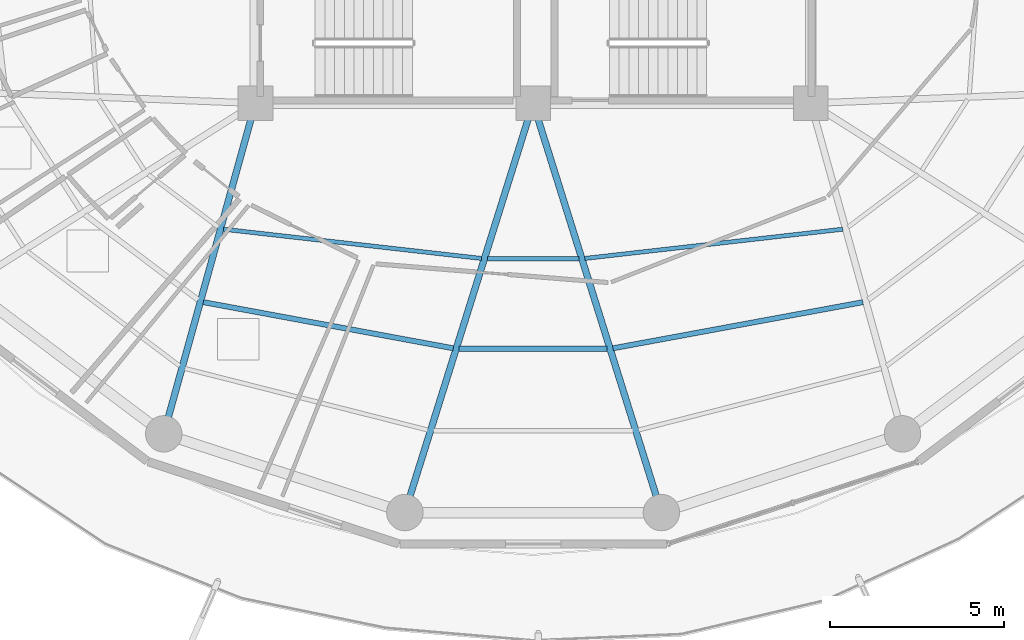
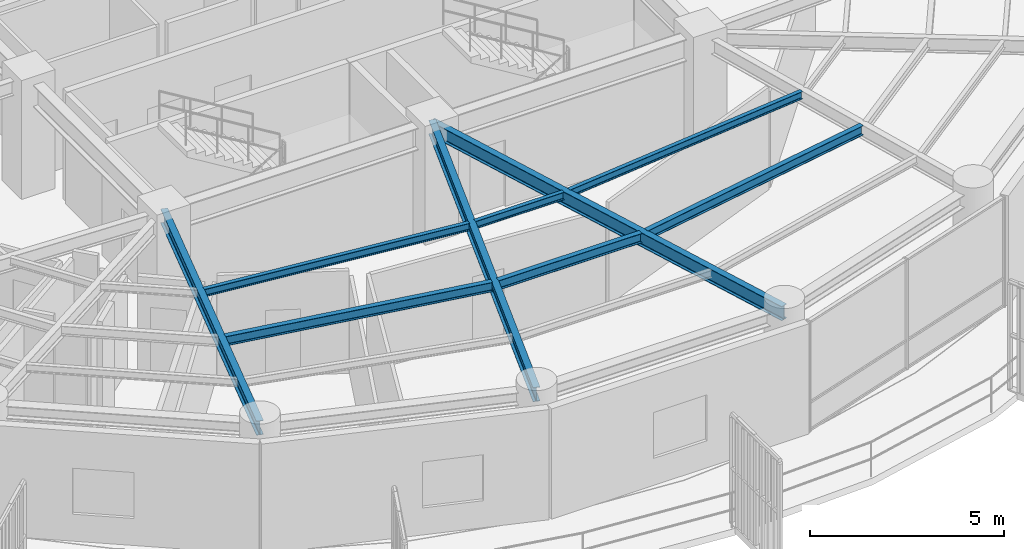
# One storey, part 5 of 31: 9 beams.
"""IFC4 building model written with IfcOpenShell, lengths in metres."""

from ifc_helpers import new_model, si_unit, direction, frame, origin, origin_2d, place, context, subcontext, project, spatial, i_section, extrude, material, material_profile, profile_set, type_object, element, save


model = new_model("IFC4")

# Units and contexts
model_context = context("Model", 3, precision=1e-05, world=origin(), true_north=direction((0.0, 1.0)))
body_context = subcontext(model_context, "Body", "Model", "MODEL_VIEW")
ifc_project = project(units=[si_unit("LENGTHUNIT", "METRE"), si_unit("AREAUNIT", "SQUARE_METRE"), si_unit("VOLUMEUNIT", "CUBIC_METRE"), si_unit("PLANEANGLEUNIT", "RADIAN"), si_unit("MASSUNIT", "GRAM", prefix="KILO")], contexts=[model_context])

# Site, building, storey
site_placement = place(None, origin())
site = spatial("IfcSite", under=ifc_project, at=site_placement, CompositionType="ELEMENT")
building_placement = place(site_placement, origin())
building = spatial("IfcBuilding", under=site, at=building_placement, Name="Kelanora Arch Commons", CompositionType="ELEMENT")
storey_placement = place(building_placement, frame((0.0, 0.0, 230.699951171875)))
storey = spatial("IfcBuildingStorey", under=building, at=storey_placement, Name="L59", CompositionType="ELEMENT", Elevation=230.699951171875)

# Beams
ifc_material = material(Name="Steel S355", Category="steel")
ifc_material_profile_1 = material_profile(ifc_material, i_section(OverallWidth=0.14990234375, OverallDepth=0.300048828125, WebThickness=0.007080078125, FlangeThickness=0.0107421875, FilletRadius=0.014892578125, at=origin_2d()), Name="IPE300")
ifc_profile_set_1 = profile_set([ifc_material_profile_1], Name="Steel S355")
beam_type_1 = type_object("IfcBeamType", Name="BM-JST-01", PredefinedType="JOIST", material=ifc_profile_set_1)
beam_1_placement = place(storey_placement, frame((64.49951171875, 45.270263671875, 3.340087890625), z_axis=(0.983389964671, -0.181505309519, 0.0), x_axis=(0.181505309519, 0.983389964671, 0.0)))
element("IfcBeam", 1, at=beam_1_placement, inside=storey, type_object=beam_type_1, Name="Secondary Chord Joist BJB-24 L59", PredefinedType="JOIST", context=body_context, shape_type="SweptSolid", body=[
    extrude(i_section(OverallWidth=0.14990234375, OverallDepth=0.300048828125, WebThickness=0.007080078125, FlangeThickness=0.0107421875, FilletRadius=0.014892578125, at=origin_2d()), origin(), (0.0, 0.0, 1.0), 7.3212890625),
])
beam_2_placement = place(storey_placement, frame((71.867919921875, 43.92578125, 3.340087890625), z_axis=(1.0, 0.0, 0.0), x_axis=(0.0, 1.0, 0.0)))
element("IfcBeam", 2, at=beam_2_placement, inside=storey, type_object=beam_type_1, Name="Secondary Chord Joist BJB-26 L59", PredefinedType="JOIST", context=body_context, shape_type="SweptSolid", body=[
    extrude(i_section(OverallWidth=0.14990234375, OverallDepth=0.300048828125, WebThickness=0.007080078125, FlangeThickness=0.0107421875, FilletRadius=0.014892578125, at=origin_2d()), origin(), (0.0, 0.0, 1.0), 4.26416015625),
])
beam_3_placement = place(storey_placement, frame((76.30078125, 43.94140625, 3.340087890625), z_axis=(0.983389964671, 0.181505309519, 0.0), x_axis=(-0.181505309519, 0.983389964671, 0.0)))
element("IfcBeam", 3, at=beam_3_placement, inside=storey, type_object=beam_type_1, Name="Secondary Chord Joist BJB-28 L59", PredefinedType="JOIST", context=body_context, shape_type="SweptSolid", body=[
    extrude(i_section(OverallWidth=0.14990234375, OverallDepth=0.300048828125, WebThickness=0.007080078125, FlangeThickness=0.0107421875, FilletRadius=0.014892578125, at=origin_2d()), origin(), (0.0, 0.0, 1.0), 7.3212890625),
])
ifc_material_profile_2 = material_profile(ifc_material, i_section(OverallWidth=0.1201171875, OverallDepth=0.239990234375, WebThickness=0.006103515625, FlangeThickness=0.009765625, FilletRadius=0.014892578125, at=origin_2d()), Name="IPE240")
ifc_profile_set_2 = profile_set([ifc_material_profile_2], Name="Steel S355")
beam_type_2 = type_object("IfcBeamType", Name="BM-JST-02", PredefinedType="JOIST", material=ifc_profile_set_2)
beam_4_placement = place(storey_placement, frame((65.081298828125, 47.371337890625, 3.3701171875), z_axis=(0.993639672263, -0.11260640171, 0.0), x_axis=(0.11260640171, 0.993639672263, 0.0)))
element("IfcBeam", 4, at=beam_4_placement, inside=storey, type_object=beam_type_2, Name="Secondary Chord Joist BJA-24 L59", PredefinedType="JOIST", context=body_context, shape_type="SweptSolid", body=[
    extrude(i_section(OverallWidth=0.1201171875, OverallDepth=0.239990234375, WebThickness=0.006103515625, FlangeThickness=0.009765625, FilletRadius=0.014892578125, at=origin_2d()), origin(), (0.0, 0.0, 1.0), 7.477783203125),
])
beam_5_placement = place(storey_placement, frame((72.680908203125, 46.519775390625, 3.3701171875), z_axis=(1.0, 0.0, 0.0), x_axis=(0.0, 1.0, 0.0)))
element("IfcBeam", 5, at=beam_5_placement, inside=storey, type_object=beam_type_2, Name="Secondary Chord Joist BJA-26 L59", PredefinedType="JOIST", context=body_context, shape_type="SweptSolid", body=[
    extrude(i_section(OverallWidth=0.1201171875, OverallDepth=0.239990234375, WebThickness=0.006103515625, FlangeThickness=0.009765625, FilletRadius=0.014892578125, at=origin_2d()), origin(), (0.0, 0.0, 1.0), 2.63818359375),
])
beam_6_placement = place(storey_placement, frame((75.488525390625, 46.529296875, 3.3701171875), z_axis=(0.993639672263, 0.11260640171, 0.0), x_axis=(-0.11260640171, 0.993639672263, 0.0)))
element("IfcBeam", 6, at=beam_6_placement, inside=storey, type_object=beam_type_2, Name="Secondary Chord Joist BJA-28 L59", PredefinedType="JOIST", context=body_context, shape_type="SweptSolid", body=[
    extrude(i_section(OverallWidth=0.1201171875, OverallDepth=0.239990234375, WebThickness=0.006103515625, FlangeThickness=0.009765625, FilletRadius=0.014892578125, at=origin_2d()), origin(), (0.0, 0.0, 1.0), 7.477783203125),
])
ifc_material_profile_3 = material_profile(ifc_material, i_section(OverallWidth=0.18994140625, OverallDepth=0.449951171875, WebThickness=0.009521484375, FlangeThickness=0.0146484375, FilletRadius=0.02099609375, at=origin_2d()), Name="IPE450")
ifc_profile_set_3 = profile_set([ifc_material_profile_3], Name="Steel S355")
beam_type_3 = type_object("IfcBeamType", Name="BM-RAD-Z4", PredefinedType="BEAM", material=ifc_profile_set_3)
beam_7_placement = place(storey_placement, frame((66.0, 51.0, 3.26513671875), z_axis=(-0.267120164296, -0.963663228429, 0.0), x_axis=(0.963663228429, -0.267120164296, 0.0)))
element("IfcBeam", 7, at=beam_7_placement, inside=storey, type_object=beam_type_3, Name="Radial Floor Girder BR-24 L59", PredefinedType="BEAM", context=body_context, shape_type="SweptSolid", body=[
    extrude(i_section(OverallWidth=0.18994140625, OverallDepth=0.449951171875, WebThickness=0.009521484375, FlangeThickness=0.0146484375, FilletRadius=0.02099609375, at=origin_2d()), origin(), (0.0, 0.0, 1.0), 9.8828125),
])
for number, where, z_axis, x_axis, name in (
    (8, (74.0, 51.0, 3.26513671875), (-0.299080457492, -0.954227897279, 0.0), (0.954227897279, -0.299080457492, 0.0), "Radial Floor Girder BR-26 L59"),
    (9, (74.0, 51.0, 3.26513671875), (0.299080457492, -0.954227897279, 0.0), (0.954227897279, 0.299080457492, 0.0), "Radial Floor Girder BR-28 L59"),
):
    element("IfcBeam", number, at=place(storey_placement, frame(where, z_axis=z_axis, x_axis=x_axis)), inside=storey, type_object=beam_type_3, Name=name, PredefinedType="BEAM", context=body_context, shape_type="SweptSolid", body=[
        extrude(i_section(OverallWidth=0.18994140625, OverallDepth=0.449951171875, WebThickness=0.009521484375, FlangeThickness=0.0146484375, FilletRadius=0.02099609375, at=origin_2d()), origin(), (0.0, 0.0, 1.0), 12.35546875),
    ])

save(model, "model.ifc")
